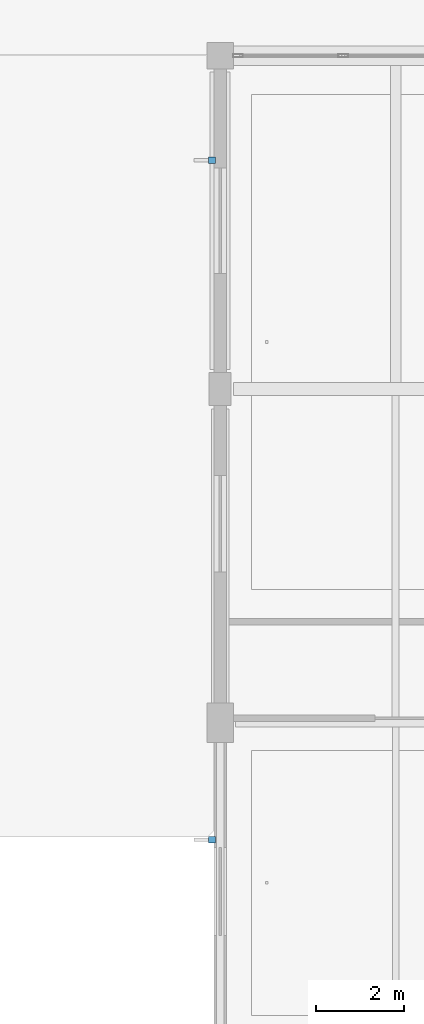
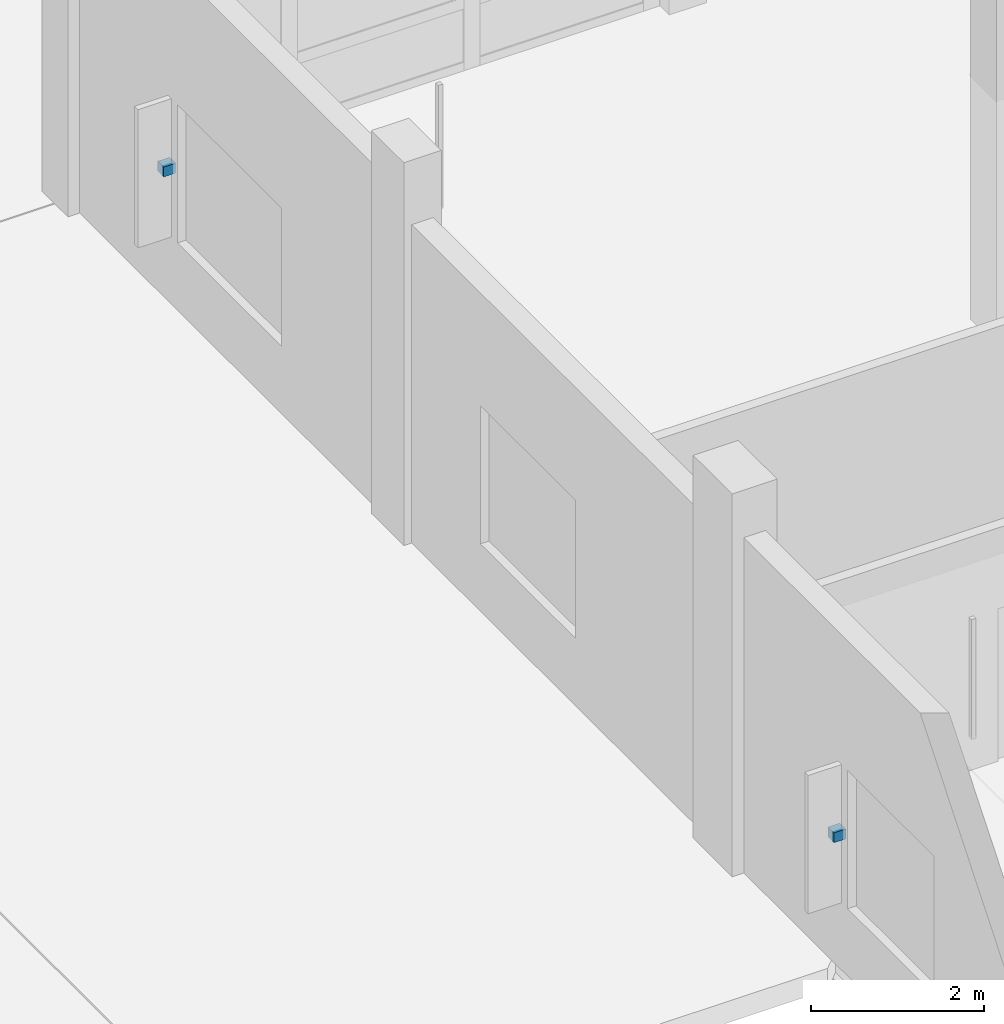
# One storey, part 103 of 126: 2 discrete accessories.
"""IFC4 building model written with IfcOpenShell, lengths in metres."""

from ifc_helpers import new_model, si_unit, direction, frame, origin, origin_2d, place, context, subcontext, project, spatial, rectangle, extrude, material, type_object, element, save


model = new_model("IFC4")

# Units and contexts
model_context = context("Model", 3, precision=1e-05, world=origin(), true_north=direction((0.0, 1.0)))
body_context = subcontext(model_context, "Body", "Model", "MODEL_VIEW")
ifc_project = project(units=[si_unit("LENGTHUNIT", "METRE"), si_unit("AREAUNIT", "SQUARE_METRE"), si_unit("VOLUMEUNIT", "CUBIC_METRE"), si_unit("PLANEANGLEUNIT", "RADIAN"), si_unit("MASSUNIT", "GRAM", prefix="KILO")], contexts=[model_context])

# Site, building, storey
site_placement = place(None, origin())
site = spatial("IfcSite", under=ifc_project, at=site_placement, CompositionType="ELEMENT")
building_placement = place(site_placement, origin())
building = spatial("IfcBuilding", under=site, at=building_placement, Name="Khelvaren Railside Concert Hall", CompositionType="ELEMENT")
storey_placement = place(building_placement, origin())
storey = spatial("IfcBuildingStorey", under=building, at=storey_placement, Name="L00", CompositionType="ELEMENT", Elevation=0.0)

# Discrete accessories
ifc_material = material(Name="Architectural stainless steel Grade 316", Category="steel")
discrete_accessory_type = type_object("IfcDiscreteAccessoryType", Name="BRK87", PredefinedType="BRACKET", material=ifc_material)
for number, where, z_axis, x_axis, name in (
    (1, (63.81494140625, 4.929931640625, 1.85498046875), (0.0, 0.0, 1.0), (0.0, 1.0, 0.0), "Solar Fin Bracket EW-V3-L00-W-0"),
    (2, (63.81494140625, 20.41748046875, 1.85498046875), (0.0, 0.0, 1.0), (0.0, 1.0, 0.0), "Solar Fin Bracket EW-V3-L00-W-15"),
):
    element("IfcDiscreteAccessory", number, at=place(storey_placement, frame(where, z_axis=z_axis, x_axis=x_axis)), inside=storey, type_object=discrete_accessory_type, Name=name, PredefinedType="BRACKET", context=body_context, shape_type="SweptSolid", body=[
        extrude(rectangle(XDim=0.139892578125, YDim=0.159912109375, at=origin_2d()), origin(), (0.0, 0.0, 1.0), 0.139892578125),
    ])

save(model, "model.ifc")
